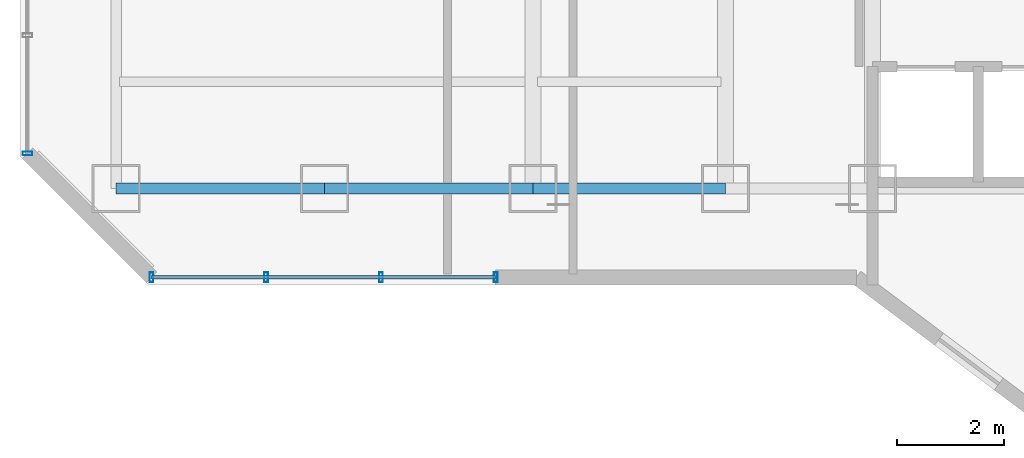
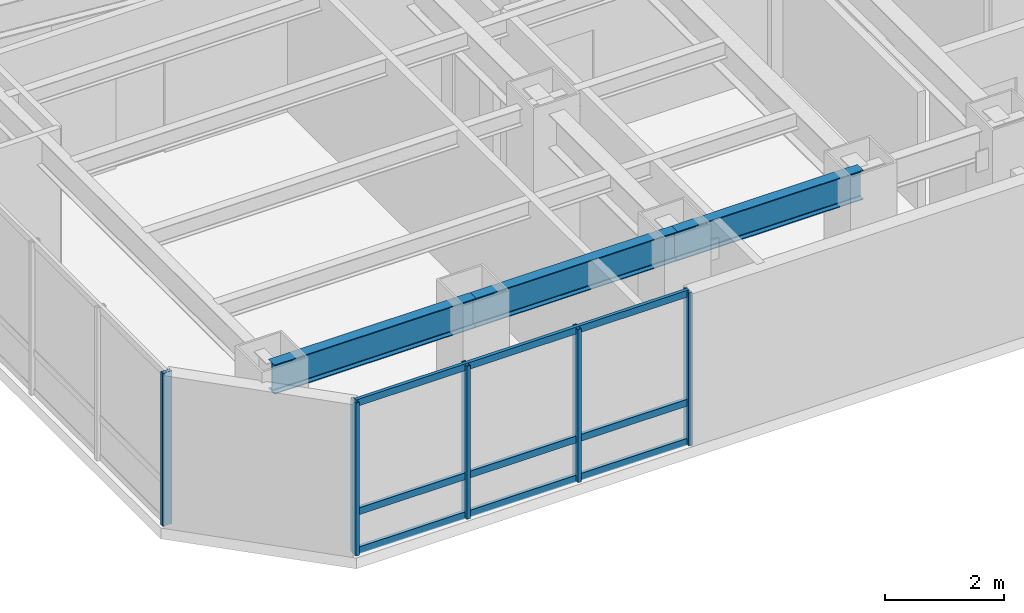
# One storey, part 2 of 31: 8 members, 3 beams, 2 elements without a shape of their own.
"""IFC4 building model written with IfcOpenShell, lengths in metres."""

import ifcopenshell
import ifcopenshell.guid

model = None  # the IFC model being written
_history = None  # IfcOwnerHistory: only IFC2X3 demands one
_inside = {}  # id of a spatial element -> (the spatial element, [elements in it])
_under = {}  # id of a project, library or spatial element -> (it, [spatial elements below it])
_declared = {}  # id of a project -> (the project, [libraries it declares])
_typed = {}  # id of a type object -> (the type object, [elements of that type])
_made_of = {}  # id of a material, layer set ... -> (it, [elements and type objects made of it])


def new_model(schema):
    """Start an empty IFC model of exactly this schema.

    Asked for "IFC4X3", IfcOpenShell would pick the latest addendum, in which some entities
    have other attributes; the version numbers below select the first issue.
    IFC2X3 requires an IfcOwnerHistory on every rooted entity: one is made here for all.
    """
    global model, _history
    if schema == "IFC4X3":
        model = ifcopenshell.file(schema_version=(4, 3, 0, 0))
    else:
        model = ifcopenshell.file(schema=schema)
    _inside.clear()
    _under.clear()
    _declared.clear()
    _typed.clear()
    _made_of.clear()
    _history = None
    if model.schema == "IFC2X3":
        org = make("IfcOrganization", Name="unknown")
        user = make(
            "IfcPersonAndOrganization",
            ThePerson=make("IfcPerson", FamilyName="unknown"),
            TheOrganization=org,
        )
        app = make(
            "IfcApplication",
            ApplicationDeveloper=org,
            Version="unknown",
            ApplicationFullName="unknown",
            ApplicationIdentifier="unknown",
        )
        _history = make(
            "IfcOwnerHistory",
            OwningUser=user,
            OwningApplication=app,
            ChangeAction="ADDED",
            CreationDate=0,
        )
    return model


def make(cls, **values):
    """One entity of the class cls with the attributes given. An attribute that is None is left unset."""
    return model.create_entity(
        cls, **{name: value for name, value in values.items() if value is not None}
    )


def rooted(cls, **values):
    """An entity with a GlobalId (a new one), such as an element, a storey or a relation."""
    return make(cls, GlobalId=ifcopenshell.guid.new(), OwnerHistory=_history, **values)


def si_unit(unit_type, name, prefix=None):
    """IfcSIUnit, for example si_unit("LENGTHUNIT", "METRE", prefix="MILLI")."""
    return make("IfcSIUnit", UnitType=unit_type, Prefix=prefix, Name=name)


def assignment(units):
    """IfcUnitAssignment: the units of a project."""
    return None if units is None else make("IfcUnitAssignment", Units=units)


def point(xyz):
    """IfcCartesianPoint."""
    return None if xyz is None else make("IfcCartesianPoint", Coordinates=xyz)


def direction(xyz):
    """IfcDirection."""
    return None if xyz is None else make("IfcDirection", DirectionRatios=xyz)


def frame(location, z_axis=None, x_axis=None):
    """IfcAxis2Placement3D, a coordinate frame: its origin and axes. An axis left out is left unset."""
    return make(
        "IfcAxis2Placement3D",
        Location=point(location),
        Axis=direction(z_axis),
        RefDirection=direction(x_axis),
    )


def frame_2d(location, x_axis=None):
    """IfcAxis2Placement2D, a coordinate frame in the plane: its origin and x axis."""
    return make(
        "IfcAxis2Placement2D", Location=point(location), RefDirection=direction(x_axis)
    )


def origin():
    """The frame at (0, 0, 0) with its axes left unset."""
    return frame((0.0, 0.0, 0.0))


def origin_2d():
    """The frame at (0, 0) in the plane with its x axis left unset."""
    return frame_2d((0.0, 0.0))


def place(relative_to, where):
    """IfcLocalPlacement: puts the frame where relative to a parent placement (None: the world)."""
    return make(
        "IfcLocalPlacement", PlacementRelTo=relative_to, RelativePlacement=where
    )


def context(
    kind, dimensions, precision=None, world=None, true_north=None, identifier=None
):
    """IfcGeometricRepresentationContext, for example the 3D "Model" context."""
    return make(
        "IfcGeometricRepresentationContext",
        ContextIdentifier=identifier,
        ContextType=kind,
        CoordinateSpaceDimension=dimensions,
        Precision=precision,
        WorldCoordinateSystem=world,
        TrueNorth=true_north,
    )


def subcontext(parent, identifier, kind, view, scale=None):
    """IfcGeometricRepresentationSubContext, for example "Body" below "Model"."""
    return make(
        "IfcGeometricRepresentationSubContext",
        ContextIdentifier=identifier,
        ContextType=kind,
        ParentContext=parent,
        TargetScale=scale,
        TargetView=view,
    )


def project(units=None, contexts=None):
    """IfcProject with its units and contexts."""
    return rooted(
        "IfcProject",
        Name="project",
        RepresentationContexts=contexts,
        UnitsInContext=assignment(units),
    )


def spatial(cls, under=None, at=None, **own):
    """A site, building, storey or space (cls), placed at a placement, below another one or the project."""
    s = rooted(cls, ObjectPlacement=at, **own)
    if under is not None:
        _under.setdefault(under.id(), (under, []))[1].append(s)
    return s


def profile(cls, at=None, kind="AREA", **sizes):
    """A parametric profile (cls). Its sizes go by their IFC names, for example OverallWidth=200.0."""
    return make(cls, ProfileType=kind, Position=at, **sizes)


def hollow_rectangle(**sizes):
    """IfcRectangleHollowProfileDef."""
    return profile("IfcRectangleHollowProfileDef", **sizes)


def i_section(**sizes):
    """IfcIShapeProfileDef."""
    return profile("IfcIShapeProfileDef", **sizes)


def extrude(swept, where, along, depth):
    """IfcExtrudedAreaSolid: the profile swept, set in the frame where, extruded along a direction by depth."""
    return make(
        "IfcExtrudedAreaSolid",
        SweptArea=swept,
        Position=where,
        ExtrudedDirection=direction(along),
        Depth=depth,
    )


def shape(context_of_items, identifier, shape_type, items):
    """IfcShapeRepresentation: the items that make up one representation, for example the "Body"."""
    return make(
        "IfcShapeRepresentation",
        ContextOfItems=context_of_items,
        RepresentationIdentifier=identifier,
        RepresentationType=shape_type,
        Items=items,
    )


def material(Name=None, Category=None):
    """IfcMaterial."""
    return make("IfcMaterial", Name=Name, Category=Category)


def layer(
    of_material, thickness, ventilated=None, Name=None, Category=None, Priority=None
):
    """IfcMaterialLayer: one layer of a wall or slab, of a material (None: an air gap)."""
    return make(
        "IfcMaterialLayer",
        Material=of_material,
        LayerThickness=thickness,
        IsVentilated=ventilated,
        Name=Name,
        Category=Category,
        Priority=Priority,
    )


def layer_set(layers, Name=None):
    """IfcMaterialLayerSet."""
    return make("IfcMaterialLayerSet", MaterialLayers=layers, LayerSetName=Name)


def material_profile(
    of_material, cross_section, Name=None, Category=None, Priority=None
):
    """IfcMaterialProfile: a cross section and its material."""
    return make(
        "IfcMaterialProfile",
        Name=Name,
        Material=of_material,
        Profile=cross_section,
        Priority=Priority,
        Category=Category,
    )


def profile_set(profiles, Name=None, composite=None):
    """IfcMaterialProfileSet."""
    return make(
        "IfcMaterialProfileSet",
        Name=Name,
        MaterialProfiles=profiles,
        CompositeProfile=composite,
    )


def made_of(thing, what):
    """Note that an element or type object is made of a material, layer set ...; save() writes the relation."""
    if what is not None:
        _made_of.setdefault(what.id(), (what, []))[1].append(thing)
    return thing


def type_object(cls, material=None, **own):
    """A type object (cls), such as IfcWallType, which elements share."""
    return made_of(rooted(cls, **own), material)


def element(
    cls,
    number,
    at=None,
    inside=None,
    cuts=None,
    type_object=None,
    material=None,
    context=None,
    identifier="Body",
    shape_type=None,
    held_by="IfcProductDefinitionShape",
    body=None,
    shapes=None,
    **own,
):
    """One element of the class cls, such as IfcWall. Its Tag is "e" and its number.

    at: its placement. inside: the storey or other place that contains it. cuts: it is an
    opening in that element (IfcRelVoidsElement). A single representation is given by context,
    identifier, shape_type and body (its items); several are given by shapes. held_by: the class
    of the entity that holds the representations. save() writes the other relations.
    """
    e = rooted(cls, Tag="e%d" % number, ObjectPlacement=at, **own)
    if body is not None:
        shapes = [shape(context, identifier, shape_type, body)]
    if shapes is not None:
        e.Representation = make(held_by, Representations=shapes)
    if inside is not None:
        _inside.setdefault(inside.id(), (inside, []))[1].append(e)
    if cuts is not None:
        rooted(
            "IfcRelVoidsElement", RelatingBuildingElement=cuts, RelatedOpeningElement=e
        )
    if type_object is not None:
        _typed.setdefault(type_object.id(), (type_object, []))[1].append(e)
    return made_of(e, material)


def aggregate(whole, parts):
    """IfcRelAggregates: a whole, such as a stair, and the parts it consists of."""
    return rooted("IfcRelAggregates", RelatingObject=whole, RelatedObjects=parts)


def save(model, path):
    """Write the relations noted so far, then the file.

    IfcRelAggregates (storeys below a building ...), IfcRelContainedInSpatialStructure (elements
    in a storey), IfcRelDefinesByType, IfcRelAssociatesMaterial and IfcRelDeclares: one each for
    every whole, place, type object, material and project.
    """
    for whole, parts in _under.values():
        aggregate(whole, parts)
    for where, things in _inside.values():
        rooted(
            "IfcRelContainedInSpatialStructure",
            RelatedElements=things,
            RelatingStructure=where,
        )
    for kind, things in _typed.values():
        rooted("IfcRelDefinesByType", RelatedObjects=things, RelatingType=kind)
    for what, things in _made_of.values():
        rooted("IfcRelAssociatesMaterial", RelatedObjects=things, RelatingMaterial=what)
    for by, libraries in _declared.values():
        rooted("IfcRelDeclares", RelatingContext=by, RelatedDefinitions=libraries)
    model.write(path)


model = new_model("IFC4")

# Units and contexts
model_context = context("Model", 3, precision=1e-05, world=origin(), true_north=direction((0.0, 1.0)))
body_context = subcontext(model_context, "Body", "Model", "MODEL_VIEW")
ifc_project = project(units=[si_unit("LENGTHUNIT", "METRE"), si_unit("AREAUNIT", "SQUARE_METRE"), si_unit("VOLUMEUNIT", "CUBIC_METRE"), si_unit("PLANEANGLEUNIT", "RADIAN"), si_unit("MASSUNIT", "GRAM", prefix="KILO")], contexts=[model_context])

# Site, building, storey
site_placement = place(None, origin())
site = spatial("IfcSite", under=ifc_project, at=site_placement, CompositionType="ELEMENT")
building_placement = place(site_placement, origin())
building = spatial("IfcBuilding", under=site, at=building_placement, Name="Hatsunagi Terrace Concourse", CompositionType="ELEMENT")
storey_placement = place(building_placement, frame((0.0, 0.0, 81.300048828125)))
storey = spatial("IfcBuildingStorey", under=building, at=storey_placement, Name="L21", CompositionType="ELEMENT", Elevation=81.300048828125)

# Curtain wall, members
ifc_material_1 = material(Name="Anodised Aluminium Alloy 6063-T5", Category="aluminium")
ifc_layer = layer(ifc_material_1, 0.199951171875)
ifc_layer_set = layer_set([ifc_layer], Name="HotelFacade_CW02")
curtain_wall_type = type_object("IfcCurtainWallType", Name="HotelFacade_CW02", PredefinedType="NOTDEFINED", material=ifc_layer_set)
curtain_wall_1_placement = place(storey_placement, origin())
curtain_wall_1 = element("IfcCurtainWall", 1, at=curtain_wall_1_placement, inside=storey, type_object=curtain_wall_type, Name="Unitised Curtain Wall CW-02 CW-L21-07", PredefinedType="NOTDEFINED")
ifc_material_2 = material(Name="Anodised Aluminium Alloy 6063-T5", Category="aluminium")
ifc_material_profile_1 = material_profile(ifc_material_2, hollow_rectangle(XDim=0.070068359375, YDim=0.179931640625, WallThickness=0.00390625, at=origin_2d()), Name="ALU-MUL-180x70x4")
ifc_profile_set_1 = profile_set([ifc_material_profile_1], Name="Anodised Aluminium Alloy 6063-T5")
member_type_1 = type_object("IfcMemberType", Name="CurtainWallMullion_180x70", PredefinedType="MULLION", material=ifc_profile_set_1)
member_1_placement = place(storey_placement, frame((18.5, 23.5400390625, 0.0), z_axis=(0.0, 0.0, 1.0), x_axis=(-1.0, 0.0, 0.0)))
member_1 = element("IfcMember", 2, at=member_1_placement, type_object=member_type_1, Name="Curtain Wall Mullion MUL-02", PredefinedType="MULLION", context=body_context, shape_type="SweptSolid", body=[
    extrude(hollow_rectangle(XDim=0.070068359375, YDim=0.179931640625, WallThickness=0.00390625, at=origin_2d()), origin(), (0.0, 0.0, 1.0), 3.1298828125),
])
member_2_placement = place(storey_placement, frame((16.35302734375, 23.5400390625, 0.0), z_axis=(0.0, 0.0, 1.0), x_axis=(-1.0, 0.0, 0.0)))
member_2 = element("IfcMember", 3, at=member_2_placement, type_object=member_type_1, Name="Curtain Wall Mullion MUL-02", PredefinedType="MULLION", context=body_context, shape_type="SweptSolid", body=[
    extrude(hollow_rectangle(XDim=0.070068359375, YDim=0.179931640625, WallThickness=0.00390625, at=origin_2d()), origin(), (0.0, 0.0, 1.0), 3.1298828125),
])
member_3_placement = place(storey_placement, frame((14.205078125, 23.5400390625, 0.0), z_axis=(0.0, 0.0, 1.0), x_axis=(-1.0, 0.0, 0.0)))
member_3 = element("IfcMember", 4, at=member_3_placement, type_object=member_type_1, Name="Curtain Wall Mullion MUL-02", PredefinedType="MULLION", context=body_context, shape_type="SweptSolid", body=[
    extrude(hollow_rectangle(XDim=0.070068359375, YDim=0.179931640625, WallThickness=0.00390625, at=origin_2d()), origin(), (0.0, 0.0, 1.0), 3.1298828125),
])
member_4_placement = place(storey_placement, frame((12.05810546875, 23.5400390625, 0.0), z_axis=(0.0, 0.0, 1.0), x_axis=(-1.0, 0.0, 0.0)))
member_4 = element("IfcMember", 5, at=member_4_placement, type_object=member_type_1, Name="Curtain Wall Mullion MUL-02", PredefinedType="MULLION", context=body_context, shape_type="SweptSolid", body=[
    extrude(hollow_rectangle(XDim=0.070068359375, YDim=0.179931640625, WallThickness=0.00390625, at=origin_2d()), origin(), (0.0, 0.0, 1.0), 3.1298828125),
])

# Curtain wall, member
curtain_wall_2_placement = place(storey_placement, origin())
curtain_wall_2 = element("IfcCurtainWall", 6, at=curtain_wall_2_placement, inside=storey, type_object=curtain_wall_type, Name="Unitised Curtain Wall CW-02 CW-L21-09", PredefinedType="NOTDEFINED")
member_5_placement = place(storey_placement, frame((9.739990234375, 25.85791015625, 0.0), z_axis=(0.0, 0.0, 1.0), x_axis=(0.0, 1.0, 0.0)))
member_5 = element("IfcMember", 7, at=member_5_placement, type_object=member_type_1, Name="Curtain Wall Mullion MUL-02", PredefinedType="MULLION", context=body_context, shape_type="SweptSolid", body=[
    extrude(hollow_rectangle(XDim=0.070068359375, YDim=0.179931640625, WallThickness=0.00390625, at=origin_2d()), origin(), (0.0, 0.0, 1.0), 3.1298828125),
])
aggregate(curtain_wall_2, [member_5])

# Member
ifc_material_3 = material(Name="Anodised Aluminium Alloy 6063-T5", Category="aluminium")
ifc_material_profile_2 = material_profile(ifc_material_3, hollow_rectangle(XDim=0.06494140625, YDim=0.139892578125, WallThickness=0.00390625, at=origin_2d()), Name="ALU-TRN-140x65x4")
ifc_profile_set_2 = profile_set([ifc_material_profile_2], Name="Anodised Aluminium Alloy 6063-T5")
member_type_2 = type_object("IfcMemberType", Name="CurtainWallTransom_140x65", PredefinedType="USERDEFINED", material=ifc_profile_set_2)
member_6_placement = place(storey_placement, frame((18.5, 23.5400390625, 0.050048828125), z_axis=(-1.0, 0.0, 0.0), x_axis=(0.0, -1.0, 0.0)))
member_6 = element("IfcMember", 8, at=member_6_placement, type_object=member_type_2, Name="Curtain Wall Transom TRN-02", ObjectType="TRANSOM", PredefinedType="USERDEFINED", context=body_context, shape_type="SweptSolid", body=[
    extrude(hollow_rectangle(XDim=0.06494140625, YDim=0.139892578125, WallThickness=0.00390625, at=origin_2d()), origin(), (0.0, 0.0, 1.0), 6.44189453125),
])

member_7_placement = place(storey_placement, frame((18.5, 23.5400390625, 0.849853515625), z_axis=(-1.0, 0.0, 0.0), x_axis=(0.0, -1.0, 0.0)))
member_7 = element("IfcMember", 9, at=member_7_placement, type_object=member_type_2, Name="Curtain Wall Transom TRN-02", ObjectType="TRANSOM", PredefinedType="USERDEFINED", context=body_context, shape_type="SweptSolid", body=[
    extrude(hollow_rectangle(XDim=0.06494140625, YDim=0.139892578125, WallThickness=0.00390625, at=origin_2d()), origin(), (0.0, 0.0, 1.0), 6.44189453125),
])

member_8_placement = place(storey_placement, frame((18.5, 23.5400390625, 3.079833984375), z_axis=(-1.0, 0.0, 0.0), x_axis=(0.0, -1.0, 0.0)))
member_8 = element("IfcMember", 10, at=member_8_placement, type_object=member_type_2, Name="Curtain Wall Transom TRN-02", ObjectType="TRANSOM", PredefinedType="USERDEFINED", context=body_context, shape_type="SweptSolid", body=[
    extrude(hollow_rectangle(XDim=0.06494140625, YDim=0.139892578125, WallThickness=0.00390625, at=origin_2d()), origin(), (0.0, 0.0, 1.0), 6.44189453125),
])

aggregate(curtain_wall_1, [member_1, member_2, member_3, member_4, member_6, member_7, member_8])

# Beams
ifc_material_4 = material(Name="Steel SN490B", Category="steel")
ifc_material_profile_3 = material_profile(ifc_material_4, i_section(OverallWidth=0.199951171875, OverallDepth=0.60009765625, WebThickness=0.010986328125, FlangeThickness=0.01708984375, FilletRadius=0.01806640625, at=origin_2d()), Name="H-600x200x11x17")
ifc_profile_set_3 = profile_set([ifc_material_profile_3], Name="Steel SN490B")
beam_type = type_object("IfcBeamType", Name="PerimeterSpandrel_H_600x200", PredefinedType="SPANDREL", material=ifc_profile_set_3)
beam_1_placement = place(storey_placement, frame((11.39990234375, 25.199951171875, 2.829833984375), z_axis=(1.0, 0.0, 0.0), x_axis=(0.0, 1.0, 0.0)))
element("IfcBeam", 11, at=beam_1_placement, inside=storey, type_object=beam_type, Name="Beam SP-01 BM-L21-WS-11", PredefinedType="SPANDREL", context=body_context, shape_type="SweptSolid", body=[
    extrude(i_section(OverallWidth=0.199951171875, OverallDepth=0.60009765625, WebThickness=0.010986328125, FlangeThickness=0.01708984375, FilletRadius=0.01806640625, at=origin_2d()), origin(), (0.0, 0.0, 1.0), 3.900146484375),
])
beam_2_placement = place(storey_placement, frame((15.300048828125, 25.199951171875, 2.829833984375), z_axis=(1.0, 0.0, 0.0), x_axis=(0.0, 1.0, 0.0)))
element("IfcBeam", 12, at=beam_2_placement, inside=storey, type_object=beam_type, Name="Beam SP-01 BM-L21-WS-15", PredefinedType="SPANDREL", context=body_context, shape_type="SweptSolid", body=[
    extrude(i_section(OverallWidth=0.199951171875, OverallDepth=0.60009765625, WebThickness=0.010986328125, FlangeThickness=0.01708984375, FilletRadius=0.01806640625, at=origin_2d()), origin(), (0.0, 0.0, 1.0), 3.89990234375),
])
beam_3_placement = place(storey_placement, frame((19.199951171875, 25.199951171875, 2.829833984375), z_axis=(1.0, 0.0, 0.0), x_axis=(0.0, 1.0, 0.0)))
element("IfcBeam", 13, at=beam_3_placement, inside=storey, type_object=beam_type, Name="Beam SP-01 BM-L21-WS-19", PredefinedType="SPANDREL", context=body_context, shape_type="SweptSolid", body=[
    extrude(i_section(OverallWidth=0.199951171875, OverallDepth=0.60009765625, WebThickness=0.010986328125, FlangeThickness=0.01708984375, FilletRadius=0.01806640625, at=origin_2d()), origin(), (0.0, 0.0, 1.0), 3.60009765625),
])

save(model, "model.ifc")
